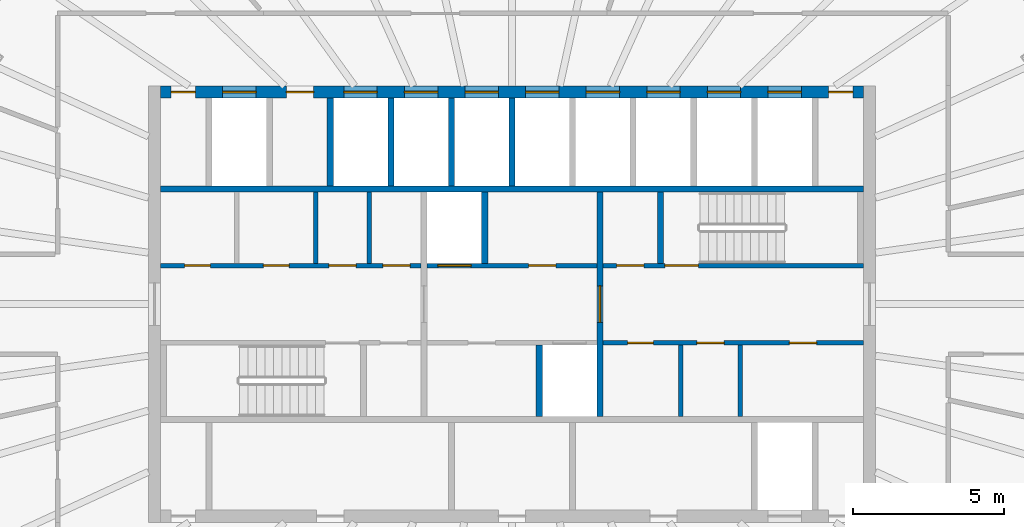
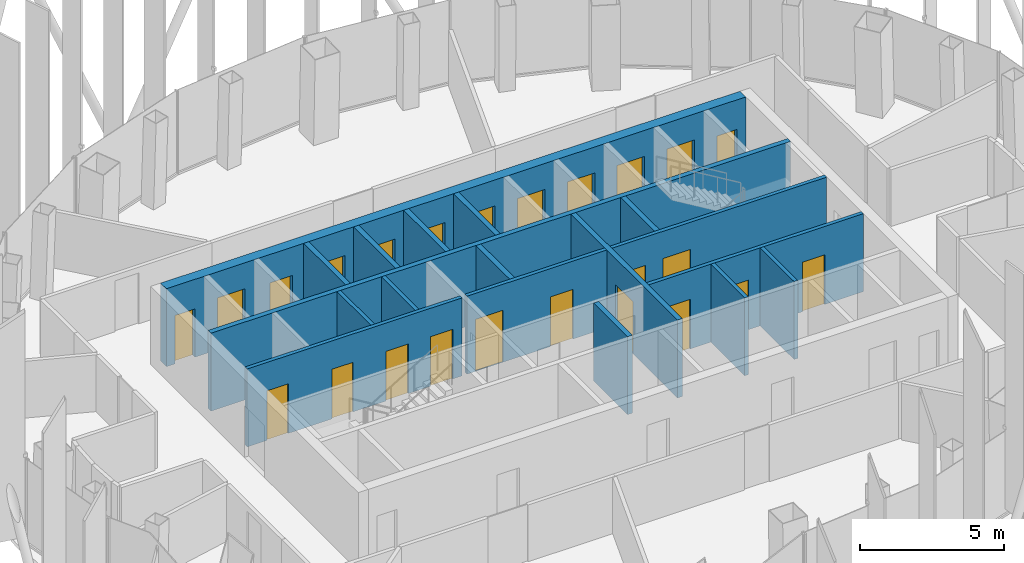
# One storey, part 10 of 19: 24 doors, 18 walls, 24 openings.
"""IFC4 building model written with IfcOpenShell, lengths in metres."""

from ifc_helpers import new_model, si_unit, direction, frame, frame_2d, origin, place, context, subcontext, project, spatial, rectangle, extrude, material, layer, layer_set, type_object, element, fill, save


model = new_model("IFC4")

# Units and contexts
model_context = context("Model", 3, precision=1e-05, world=origin(), true_north=direction((0.0, 1.0)))
body_context = subcontext(model_context, "Body", "Model", "MODEL_VIEW")
ifc_project = project(units=[si_unit("LENGTHUNIT", "METRE"), si_unit("AREAUNIT", "SQUARE_METRE"), si_unit("VOLUMEUNIT", "CUBIC_METRE"), si_unit("PLANEANGLEUNIT", "RADIAN"), si_unit("MASSUNIT", "GRAM", prefix="KILO")], contexts=[model_context])

# Site, building, storey
site_placement = place(None, origin())
site = spatial("IfcSite", under=ifc_project, at=site_placement, CompositionType="ELEMENT")
building_placement = place(site_placement, origin())
building = spatial("IfcBuilding", under=site, at=building_placement, Name="Siaravel Broadcast Tower", CompositionType="ELEMENT")
storey_placement = place(building_placement, frame((0.0, 0.0, 239.300048828125)))
storey = spatial("IfcBuildingStorey", under=building, at=storey_placement, Name="L58", CompositionType="ELEMENT", Elevation=239.300048828125)

# Walls
ifc_material_1 = material(Name="Concrete blockwork", Category="masonry")
ifc_layer_1 = layer(ifc_material_1, 0.14990234375)
ifc_layer_set_1 = layer_set([ifc_layer_1], Name="Concrete blockwork")
wall_type_1 = type_object("IfcWallType", Name="Core partition 150", PredefinedType="PARTITIONING", material=ifc_layer_set_1)
for number, where, z_axis, x_axis, name in (
    (1, (-6.485107421875, 1.35009765625, 0.0), (0.0, 0.0, 1.0), (0.0, 1.0, 0.0), "L58 core partition PNW1"),
    (2, (-4.705078125, 1.35009765625, 0.0), (0.0, 0.0, 1.0), (0.0, 1.0, 0.0), "L58 core partition PNW2"),
    (3, (5.56494140625, -3.699951171875, 0.0), (0.0, 0.0, 1.0), (0.0, 1.0, 0.0), "L58 core partition PSE0"),
    (4, (7.541015625, -3.699951171875, 0.0), (0.0, 0.0, 1.0), (0.0, 1.0, 0.0), "L58 core partition PSE1"),
):
    element("IfcWall", number, at=place(storey_placement, frame(where, z_axis=z_axis, x_axis=x_axis)), inside=storey, type_object=wall_type_1, Name=name, PredefinedType="PARTITIONING", context=body_context, shape_type="SweptSolid", body=[
        extrude(rectangle(XDim=2.349853515625, YDim=0.14990234375, at=frame_2d((1.1748046875, 0.0))), origin(), (0.0, 0.0, 1.0), 3.300048828125),
    ])

# Wall, openings, doors
ifc_material_2 = material(Name="Concrete C60/75", Category="concrete")
ifc_layer_2 = layer(ifc_material_2, 0.39990234375)
ifc_layer_set_2 = layer_set([ifc_layer_2], Name="Concrete C60/75")
wall_type_2 = type_object("IfcWallType", Name="Core wall 400", PredefinedType="SHEAR", material=ifc_layer_set_2)
wall_1_placement = place(storey_placement, frame((-11.60009765625, 7.0, 0.0), z_axis=(0.0, 0.0, 1.0), x_axis=(1.0, 0.0, 0.0)))
wall_1 = element("IfcWall", 5, at=wall_1_placement, inside=storey, type_object=wall_type_2, Name="L58 core wall ON", PredefinedType="SHEAR", context=body_context, shape_type="SweptSolid", body=[
    extrude(rectangle(XDim=23.2001953125, YDim=0.39990234375, at=frame_2d((11.60009765625, 0.0))), origin(), (0.0, 0.0, 1.0), 3.300048828125),
])
opening_1_placement = place(wall_1_placement, frame((2.050048828125, 0.0, 0.0)))
opening_1 = element("IfcOpeningElement", 6, at=opening_1_placement, cuts=wall_1, Name="Opening LD-SV2-L58", PredefinedType="OPENING", context=body_context, shape_type="SweptSolid", body=[
    extrude(rectangle(XDim=1.10009765625, YDim=2.199951171875, at=frame_2d((0.550048828125, 1.10009765625))), frame((0.0, 0.2099609375, 0.0), z_axis=(0.0, -1.0, 0.0), x_axis=(1.0, 0.0, 0.0)), (0.0, 0.0, 1.0), 0.419921875),
])
opening_2_placement = place(wall_1_placement, frame((6.050048828125, 0.0, 0.0)))
opening_2 = element("IfcOpeningElement", 7, at=opening_2_placement, cuts=wall_1, Name="Opening LD-HP1-L58", PredefinedType="OPENING", context=body_context, shape_type="SweptSolid", body=[
    extrude(rectangle(XDim=1.10009765625, YDim=2.199951171875, at=frame_2d((0.550048828125, 1.10009765625))), frame((0.0, 0.2099609375, 0.0), z_axis=(0.0, -1.0, 0.0), x_axis=(1.0, 0.0, 0.0)), (0.0, 0.0, 1.0), 0.419921875),
])
opening_3_placement = place(wall_1_placement, frame((8.050048828125, 0.0, 0.0)))
opening_3 = element("IfcOpeningElement", 8, at=opening_3_placement, cuts=wall_1, Name="Opening LD-HP2-L58", PredefinedType="OPENING", context=body_context, shape_type="SweptSolid", body=[
    extrude(rectangle(XDim=1.10009765625, YDim=2.199951171875, at=frame_2d((0.550048828125, 1.10009765625))), frame((0.0, 0.2099609375, 0.0), z_axis=(0.0, -1.0, 0.0), x_axis=(1.0, 0.0, 0.0)), (0.0, 0.0, 1.0), 0.419921875),
])
opening_4_placement = place(wall_1_placement, frame((10.050048828125, 0.0, 0.0)))
opening_4 = element("IfcOpeningElement", 9, at=opening_4_placement, cuts=wall_1, Name="Opening LD-HP3-L58", PredefinedType="OPENING", context=body_context, shape_type="SweptSolid", body=[
    extrude(rectangle(XDim=1.10009765625, YDim=2.199951171875, at=frame_2d((0.550048828125, 1.10009765625))), frame((0.0, 0.2099609375, 0.0), z_axis=(0.0, -1.0, 0.0), x_axis=(1.0, 0.0, 0.0)), (0.0, 0.0, 1.0), 0.419921875),
])
opening_5_placement = place(wall_1_placement, frame((12.050048828125, 0.0, 0.0)))
opening_5 = element("IfcOpeningElement", 10, at=opening_5_placement, cuts=wall_1, Name="Opening LD-HP4-L58", PredefinedType="OPENING", context=body_context, shape_type="SweptSolid", body=[
    extrude(rectangle(XDim=1.10009765625, YDim=2.199951171875, at=frame_2d((0.550048828125, 1.10009765625))), frame((0.0, 0.2099609375, 0.0), z_axis=(0.0, -1.0, 0.0), x_axis=(1.0, 0.0, 0.0)), (0.0, 0.0, 1.0), 0.419921875),
])
opening_6_placement = place(wall_1_placement, frame((14.050048828125, 0.0, 0.0)))
opening_6 = element("IfcOpeningElement", 11, at=opening_6_placement, cuts=wall_1, Name="Opening LD-HP5-L58", PredefinedType="OPENING", context=body_context, shape_type="SweptSolid", body=[
    extrude(rectangle(XDim=1.10009765625, YDim=2.199951171875, at=frame_2d((0.550048828125, 1.10009765625))), frame((0.0, 0.2099609375, 0.0), z_axis=(0.0, -1.0, 0.0), x_axis=(1.0, 0.0, 0.0)), (0.0, 0.0, 1.0), 0.419921875),
])
opening_7_placement = place(wall_1_placement, frame((16.050048828125, 0.0, 0.0)))
opening_7 = element("IfcOpeningElement", 12, at=opening_7_placement, cuts=wall_1, Name="Opening LD-HP6-L58", PredefinedType="OPENING", context=body_context, shape_type="SweptSolid", body=[
    extrude(rectangle(XDim=1.10009765625, YDim=2.199951171875, at=frame_2d((0.550048828125, 1.10009765625))), frame((0.0, 0.2099609375, 0.0), z_axis=(0.0, -1.0, 0.0), x_axis=(1.0, 0.0, 0.0)), (0.0, 0.0, 1.0), 0.419921875),
])
opening_8_placement = place(wall_1_placement, frame((18.050048828125, 0.0, 0.0)))
opening_8 = element("IfcOpeningElement", 13, at=opening_8_placement, cuts=wall_1, Name="Opening LD-HP7-L58", PredefinedType="OPENING", context=body_context, shape_type="SweptSolid", body=[
    extrude(rectangle(XDim=1.10009765625, YDim=2.199951171875, at=frame_2d((0.550048828125, 1.10009765625))), frame((0.0, 0.2099609375, 0.0), z_axis=(0.0, -1.0, 0.0), x_axis=(1.0, 0.0, 0.0)), (0.0, 0.0, 1.0), 0.419921875),
])
opening_9_placement = place(wall_1_placement, frame((20.050048828125, 0.0, 0.0)))
opening_9 = element("IfcOpeningElement", 14, at=opening_9_placement, cuts=wall_1, Name="Opening LD-HP8-L58", PredefinedType="OPENING", context=body_context, shape_type="SweptSolid", body=[
    extrude(rectangle(XDim=1.10009765625, YDim=2.199951171875, at=frame_2d((0.550048828125, 1.10009765625))), frame((0.0, 0.2099609375, 0.0), z_axis=(0.0, -1.0, 0.0), x_axis=(1.0, 0.0, 0.0)), (0.0, 0.0, 1.0), 0.419921875),
])
opening_10_placement = place(wall_1_placement, frame((4.14990234375, 0.0, 0.0)))
opening_10 = element("IfcOpeningElement", 15, at=opening_10_placement, cuts=wall_1, Name="Opening L58-DFN1", PredefinedType="OPENING", context=body_context, shape_type="SweptSolid", body=[
    extrude(rectangle(XDim=0.89990234375, YDim=2.10009765625, at=frame_2d((0.449951171875, 1.050048828125))), frame((0.0, 0.2099609375, 0.0), z_axis=(0.0, -1.0, 0.0), x_axis=(1.0, 0.0, 0.0)), (0.0, 0.0, 1.0), 0.419921875),
])
opening_11_placement = place(wall_1_placement, frame((0.35009765625, 0.0, 0.0)))
opening_11 = element("IfcOpeningElement", 16, at=opening_11_placement, cuts=wall_1, Name="Opening L58-DRNW", PredefinedType="OPENING", context=body_context, shape_type="SweptSolid", body=[
    extrude(rectangle(XDim=0.800048828125, YDim=2.050048828125, at=frame_2d((0.39990234375, 1.02490234375))), frame((0.0, 0.2099609375, 0.0), z_axis=(0.0, -1.0, 0.0), x_axis=(1.0, 0.0, 0.0)), (0.0, 0.0, 1.0), 0.419921875),
])
opening_12_placement = place(wall_1_placement, frame((22.050048828125, 0.0, 0.0)))
opening_12 = element("IfcOpeningElement", 17, at=opening_12_placement, cuts=wall_1, Name="Opening L58-DRNE", PredefinedType="OPENING", context=body_context, shape_type="SweptSolid", body=[
    extrude(rectangle(XDim=0.800048828125, YDim=2.050048828125, at=frame_2d((0.39990234375, 1.02490234375))), frame((0.0, 0.2099609375, 0.0), z_axis=(0.0, -1.0, 0.0), x_axis=(1.0, 0.0, 0.0)), (0.0, 0.0, 1.0), 0.419921875),
])
ifc_material_3 = material(Name="Timber veneer", Category="wood")
door_type_1 = type_object("IfcDoorType", Name="Core room door 900", OperationType="SINGLE_SWING_LEFT", PredefinedType="DOOR", material=ifc_material_3)
door_1_placement = place(opening_10_placement, origin())
door_1 = element("IfcDoor", 18, at=door_1_placement, inside=storey, type_object=door_type_1, Name="L58 door DFN1", OperationType="SINGLE_SWING_LEFT", OverallHeight=2.10009765625, OverallWidth=0.89990234375, PredefinedType="DOOR", context=body_context, shape_type="SweptSolid", body=[
    extrude(rectangle(XDim=0.89990234375, YDim=2.10009765625, at=frame_2d((0.449951171875, 1.050048828125))), frame((0.0, 0.02490234375, 0.0), z_axis=(0.0, -1.0, 0.0), x_axis=(1.0, 0.0, 0.0)), (0.0, 0.0, 1.0), 0.050048828125),
])
fill(opening_10, door_1)
ifc_material_4 = material(Name="Stainless steel 316L", Category="steel")
door_type_2 = type_object("IfcDoorType", Name="Lift landing door 1100", OperationType="DOUBLE_DOOR_SLIDING", PredefinedType="DOOR", material=ifc_material_4)
door_2_placement = place(opening_2_placement, origin())
door_2 = element("IfcDoor", 19, at=door_2_placement, inside=storey, type_object=door_type_2, Name="Landing door HP1 L58", OperationType="DOUBLE_DOOR_SLIDING", OverallHeight=2.199951171875, OverallWidth=1.10009765625, PredefinedType="DOOR", context=body_context, shape_type="SweptSolid", body=[
    extrude(rectangle(XDim=1.10009765625, YDim=2.199951171875, at=frame_2d((0.550048828125, 1.10009765625))), frame((0.0, 0.02490234375, 0.0), z_axis=(0.0, -1.0, 0.0), x_axis=(1.0, 0.0, 0.0)), (0.0, 0.0, 1.0), 0.050048828125),
])
fill(opening_2, door_2)
door_3_placement = place(opening_3_placement, origin())
door_3 = element("IfcDoor", 20, at=door_3_placement, inside=storey, type_object=door_type_2, Name="Landing door HP2 L58", OperationType="DOUBLE_DOOR_SLIDING", OverallHeight=2.199951171875, OverallWidth=1.10009765625, PredefinedType="DOOR", context=body_context, shape_type="SweptSolid", body=[
    extrude(rectangle(XDim=1.10009765625, YDim=2.199951171875, at=frame_2d((0.550048828125, 1.10009765625))), frame((0.0, 0.02490234375, 0.0), z_axis=(0.0, -1.0, 0.0), x_axis=(1.0, 0.0, 0.0)), (0.0, 0.0, 1.0), 0.050048828125),
])
fill(opening_3, door_3)
door_4_placement = place(opening_4_placement, origin())
door_4 = element("IfcDoor", 21, at=door_4_placement, inside=storey, type_object=door_type_2, Name="Landing door HP3 L58", OperationType="DOUBLE_DOOR_SLIDING", OverallHeight=2.199951171875, OverallWidth=1.10009765625, PredefinedType="DOOR", context=body_context, shape_type="SweptSolid", body=[
    extrude(rectangle(XDim=1.10009765625, YDim=2.199951171875, at=frame_2d((0.550048828125, 1.10009765625))), frame((0.0, 0.02490234375, 0.0), z_axis=(0.0, -1.0, 0.0), x_axis=(1.0, 0.0, 0.0)), (0.0, 0.0, 1.0), 0.050048828125),
])
fill(opening_4, door_4)
door_5_placement = place(opening_5_placement, origin())
door_5 = element("IfcDoor", 22, at=door_5_placement, inside=storey, type_object=door_type_2, Name="Landing door HP4 L58", OperationType="DOUBLE_DOOR_SLIDING", OverallHeight=2.199951171875, OverallWidth=1.10009765625, PredefinedType="DOOR", context=body_context, shape_type="SweptSolid", body=[
    extrude(rectangle(XDim=1.10009765625, YDim=2.199951171875, at=frame_2d((0.550048828125, 1.10009765625))), frame((0.0, 0.02490234375, 0.0), z_axis=(0.0, -1.0, 0.0), x_axis=(1.0, 0.0, 0.0)), (0.0, 0.0, 1.0), 0.050048828125),
])
fill(opening_5, door_5)
door_6_placement = place(opening_6_placement, origin())
door_6 = element("IfcDoor", 23, at=door_6_placement, inside=storey, type_object=door_type_2, Name="Landing door HP5 L58", OperationType="DOUBLE_DOOR_SLIDING", OverallHeight=2.199951171875, OverallWidth=1.10009765625, PredefinedType="DOOR", context=body_context, shape_type="SweptSolid", body=[
    extrude(rectangle(XDim=1.10009765625, YDim=2.199951171875, at=frame_2d((0.550048828125, 1.10009765625))), frame((0.0, 0.02490234375, 0.0), z_axis=(0.0, -1.0, 0.0), x_axis=(1.0, 0.0, 0.0)), (0.0, 0.0, 1.0), 0.050048828125),
])
fill(opening_6, door_6)
door_7_placement = place(opening_7_placement, origin())
door_7 = element("IfcDoor", 24, at=door_7_placement, inside=storey, type_object=door_type_2, Name="Landing door HP6 L58", OperationType="DOUBLE_DOOR_SLIDING", OverallHeight=2.199951171875, OverallWidth=1.10009765625, PredefinedType="DOOR", context=body_context, shape_type="SweptSolid", body=[
    extrude(rectangle(XDim=1.10009765625, YDim=2.199951171875, at=frame_2d((0.550048828125, 1.10009765625))), frame((0.0, 0.02490234375, 0.0), z_axis=(0.0, -1.0, 0.0), x_axis=(1.0, 0.0, 0.0)), (0.0, 0.0, 1.0), 0.050048828125),
])
fill(opening_7, door_7)
door_8_placement = place(opening_8_placement, origin())
door_8 = element("IfcDoor", 25, at=door_8_placement, inside=storey, type_object=door_type_2, Name="Landing door HP7 L58", OperationType="DOUBLE_DOOR_SLIDING", OverallHeight=2.199951171875, OverallWidth=1.10009765625, PredefinedType="DOOR", context=body_context, shape_type="SweptSolid", body=[
    extrude(rectangle(XDim=1.10009765625, YDim=2.199951171875, at=frame_2d((0.550048828125, 1.10009765625))), frame((0.0, 0.02490234375, 0.0), z_axis=(0.0, -1.0, 0.0), x_axis=(1.0, 0.0, 0.0)), (0.0, 0.0, 1.0), 0.050048828125),
])
fill(opening_8, door_8)
door_9_placement = place(opening_9_placement, origin())
door_9 = element("IfcDoor", 26, at=door_9_placement, inside=storey, type_object=door_type_2, Name="Landing door HP8 L58", OperationType="DOUBLE_DOOR_SLIDING", OverallHeight=2.199951171875, OverallWidth=1.10009765625, PredefinedType="DOOR", context=body_context, shape_type="SweptSolid", body=[
    extrude(rectangle(XDim=1.10009765625, YDim=2.199951171875, at=frame_2d((0.550048828125, 1.10009765625))), frame((0.0, 0.02490234375, 0.0), z_axis=(0.0, -1.0, 0.0), x_axis=(1.0, 0.0, 0.0)), (0.0, 0.0, 1.0), 0.050048828125),
])
fill(opening_9, door_9)
ifc_material_5 = material(Name="Steel", Category="steel")
door_type_3 = type_object("IfcDoorType", Name="Riser door 800", OperationType="SINGLE_SWING_LEFT", PredefinedType="DOOR", material=ifc_material_5)
door_10_placement = place(opening_11_placement, origin())
door_10 = element("IfcDoor", 27, at=door_10_placement, inside=storey, type_object=door_type_3, Name="L58 door DRNW", OperationType="SINGLE_SWING_LEFT", OverallHeight=2.050048828125, OverallWidth=0.800048828125, PredefinedType="DOOR", context=body_context, shape_type="SweptSolid", body=[
    extrude(rectangle(XDim=0.800048828125, YDim=2.050048828125, at=frame_2d((0.39990234375, 1.02490234375))), frame((0.0, 0.02490234375, 0.0), z_axis=(0.0, -1.0, 0.0), x_axis=(1.0, 0.0, 0.0)), (0.0, 0.0, 1.0), 0.050048828125),
])
fill(opening_11, door_10)
door_11_placement = place(opening_12_placement, origin())
door_11 = element("IfcDoor", 28, at=door_11_placement, inside=storey, type_object=door_type_3, Name="L58 door DRNE", OperationType="SINGLE_SWING_LEFT", OverallHeight=2.050048828125, OverallWidth=0.800048828125, PredefinedType="DOOR", context=body_context, shape_type="SweptSolid", body=[
    extrude(rectangle(XDim=0.800048828125, YDim=2.050048828125, at=frame_2d((0.39990234375, 1.02490234375))), frame((0.0, 0.02490234375, 0.0), z_axis=(0.0, -1.0, 0.0), x_axis=(1.0, 0.0, 0.0)), (0.0, 0.0, 1.0), 0.050048828125),
])
fill(opening_12, door_11)
door_type_4 = type_object("IfcDoorType", Name="Service lift landing door 1100", OperationType="DOUBLE_DOOR_SLIDING", PredefinedType="DOOR", material=ifc_material_4)
door_12_placement = place(opening_1_placement, origin())
door_12 = element("IfcDoor", 29, at=door_12_placement, inside=storey, type_object=door_type_4, Name="Landing door SV2 L58", OperationType="DOUBLE_DOOR_SLIDING", OverallHeight=2.199951171875, OverallWidth=1.10009765625, PredefinedType="DOOR", context=body_context, shape_type="SweptSolid", body=[
    extrude(rectangle(XDim=1.10009765625, YDim=2.199951171875, at=frame_2d((0.550048828125, 1.10009765625))), frame((0.0, 0.02490234375, 0.0), z_axis=(0.0, -1.0, 0.0), x_axis=(1.0, 0.0, 0.0)), (0.0, 0.0, 1.0), 0.050048828125),
])
fill(opening_1, door_12)

ifc_material_6 = material(Name="Gypsum board partition", Category="gypsum")
ifc_layer_3 = layer(ifc_material_6, 0.14990234375)
ifc_layer_set_3 = layer_set([ifc_layer_3], Name="Gypsum board partition")
wall_type_3 = type_object("IfcWallType", Name="Corridor wall 150", PredefinedType="PARTITIONING", material=ifc_layer_set_3)
wall_2_placement = place(storey_placement, frame((3.0, -1.27490234375, 0.0), z_axis=(0.0, 0.0, 1.0), x_axis=(1.0, 0.0, 0.0)))
wall_2 = element("IfcWall", 30, at=wall_2_placement, inside=storey, type_object=wall_type_3, Name="L58 core partition CSE", PredefinedType="PARTITIONING", context=body_context, shape_type="SweptSolid", body=[
    extrude(rectangle(XDim=8.60009765625, YDim=0.14990234375, at=frame_2d((4.300048828125, 0.0))), origin(), (0.0, 0.0, 1.0), 3.300048828125),
])
opening_13_placement = place(wall_2_placement, frame((0.820068359375, 0.0, 0.0)))
opening_13 = element("IfcOpeningElement", 31, at=opening_13_placement, cuts=wall_2, Name="Opening L58-DSE0", PredefinedType="OPENING", context=body_context, shape_type="SweptSolid", body=[
    extrude(rectangle(XDim=0.85009765625, YDim=2.10009765625, at=frame_2d((0.425048828125, 1.050048828125))), frame((0.0, 0.0849609375, 0.0), z_axis=(0.0, -1.0, 0.0), x_axis=(1.0, 0.0, 0.0)), (0.0, 0.0, 1.0), 0.169921875),
])
opening_14_placement = place(wall_2_placement, frame((3.10302734375, 0.0, 0.0)))
opening_14 = element("IfcOpeningElement", 32, at=opening_14_placement, cuts=wall_2, Name="Opening L58-DSE1", PredefinedType="OPENING", context=body_context, shape_type="SweptSolid", body=[
    extrude(rectangle(XDim=0.89990234375, YDim=2.10009765625, at=frame_2d((0.449951171875, 1.050048828125))), frame((0.0, 0.0849609375, 0.0), z_axis=(0.0, -1.0, 0.0), x_axis=(1.0, 0.0, 0.0)), (0.0, 0.0, 1.0), 0.169921875),
])
opening_15_placement = place(wall_2_placement, frame((6.157958984375, 0.0, 0.0)))
opening_15 = element("IfcOpeningElement", 33, at=opening_15_placement, cuts=wall_2, Name="Opening L58-DSE2", PredefinedType="OPENING", context=body_context, shape_type="SweptSolid", body=[
    extrude(rectangle(XDim=0.89990234375, YDim=2.10009765625, at=frame_2d((0.449951171875, 1.050048828125))), frame((0.0, 0.0849609375, 0.0), z_axis=(0.0, -1.0, 0.0), x_axis=(1.0, 0.0, 0.0)), (0.0, 0.0, 1.0), 0.169921875),
])
door_13_placement = place(opening_14_placement, origin())
door_13 = element("IfcDoor", 34, at=door_13_placement, inside=storey, type_object=door_type_1, Name="L58 door DSE1", OperationType="SINGLE_SWING_LEFT", OverallHeight=2.10009765625, OverallWidth=0.89990234375, PredefinedType="DOOR", context=body_context, shape_type="SweptSolid", body=[
    extrude(rectangle(XDim=0.89990234375, YDim=2.10009765625, at=frame_2d((0.449951171875, 1.050048828125))), frame((0.0, 0.02490234375, 0.0), z_axis=(0.0, -1.0, 0.0), x_axis=(1.0, 0.0, 0.0)), (0.0, 0.0, 1.0), 0.050048828125),
])
fill(opening_14, door_13)
door_14_placement = place(opening_15_placement, origin())
door_14 = element("IfcDoor", 35, at=door_14_placement, inside=storey, type_object=door_type_1, Name="L58 door DSE2", OperationType="SINGLE_SWING_LEFT", OverallHeight=2.10009765625, OverallWidth=0.89990234375, PredefinedType="DOOR", context=body_context, shape_type="SweptSolid", body=[
    extrude(rectangle(XDim=0.89990234375, YDim=2.10009765625, at=frame_2d((0.449951171875, 1.050048828125))), frame((0.0, 0.02490234375, 0.0), z_axis=(0.0, -1.0, 0.0), x_axis=(1.0, 0.0, 0.0)), (0.0, 0.0, 1.0), 0.050048828125),
])
fill(opening_15, door_14)
door_type_5 = type_object("IfcDoorType", Name="Core toilet door 850", OperationType="SINGLE_SWING_LEFT", PredefinedType="DOOR", material=ifc_material_3)
door_15_placement = place(opening_13_placement, origin())
door_15 = element("IfcDoor", 36, at=door_15_placement, inside=storey, type_object=door_type_5, Name="L58 door DSE0", OperationType="SINGLE_SWING_LEFT", OverallHeight=2.10009765625, OverallWidth=0.85009765625, PredefinedType="DOOR", context=body_context, shape_type="SweptSolid", body=[
    extrude(rectangle(XDim=0.85009765625, YDim=2.10009765625, at=frame_2d((0.425048828125, 1.050048828125))), frame((0.0, 0.02490234375, 0.0), z_axis=(0.0, -1.0, 0.0), x_axis=(1.0, 0.0, 0.0)), (0.0, 0.0, 1.0), 0.050048828125),
])
fill(opening_13, door_15)

wall_3_placement = place(storey_placement, frame((-11.60009765625, 1.27490234375, 0.0), z_axis=(0.0, 0.0, 1.0), x_axis=(1.0, 0.0, 0.0)))
wall_3 = element("IfcWall", 37, at=wall_3_placement, inside=storey, type_object=wall_type_3, Name="L58 core partition CNW", PredefinedType="PARTITIONING", context=body_context, shape_type="SweptSolid", body=[
    extrude(rectangle(XDim=8.60009765625, YDim=0.14990234375, at=frame_2d((4.300048828125, 0.0))), origin(), (0.0, 0.0, 1.0), 3.300048828125),
])
opening_16_placement = place(wall_3_placement, frame((0.797607421875, 0.0, 0.0)))
opening_16 = element("IfcOpeningElement", 38, at=opening_16_placement, cuts=wall_3, Name="Opening L58-DNW0", PredefinedType="OPENING", context=body_context, shape_type="SweptSolid", body=[
    extrude(rectangle(XDim=0.85009765625, YDim=2.10009765625, at=frame_2d((0.425048828125, 1.050048828125))), frame((0.0, 0.0849609375, 0.0), z_axis=(0.0, -1.0, 0.0), x_axis=(1.0, 0.0, 0.0)), (0.0, 0.0, 1.0), 0.169921875),
])
opening_17_placement = place(wall_3_placement, frame((3.392578125, 0.0, 0.0)))
opening_17 = element("IfcOpeningElement", 39, at=opening_17_placement, cuts=wall_3, Name="Opening L58-DNW1", PredefinedType="OPENING", context=body_context, shape_type="SweptSolid", body=[
    extrude(rectangle(XDim=0.85009765625, YDim=2.10009765625, at=frame_2d((0.425048828125, 1.050048828125))), frame((0.0, 0.0849609375, 0.0), z_axis=(0.0, -1.0, 0.0), x_axis=(1.0, 0.0, 0.0)), (0.0, 0.0, 1.0), 0.169921875),
])
opening_18_placement = place(wall_3_placement, frame((5.554931640625, 0.0, 0.0)))
opening_18 = element("IfcOpeningElement", 40, at=opening_18_placement, cuts=wall_3, Name="Opening L58-DNW2", PredefinedType="OPENING", context=body_context, shape_type="SweptSolid", body=[
    extrude(rectangle(XDim=0.89990234375, YDim=2.10009765625, at=frame_2d((0.449951171875, 1.050048828125))), frame((0.0, 0.0849609375, 0.0), z_axis=(0.0, -1.0, 0.0), x_axis=(1.0, 0.0, 0.0)), (0.0, 0.0, 1.0), 0.169921875),
])
opening_19_placement = place(wall_3_placement, frame((7.3349609375, 0.0, 0.0)))
opening_19 = element("IfcOpeningElement", 41, at=opening_19_placement, cuts=wall_3, Name="Opening L58-DNW3", PredefinedType="OPENING", context=body_context, shape_type="SweptSolid", body=[
    extrude(rectangle(XDim=0.89990234375, YDim=2.10009765625, at=frame_2d((0.449951171875, 1.050048828125))), frame((0.0, 0.0849609375, 0.0), z_axis=(0.0, -1.0, 0.0), x_axis=(1.0, 0.0, 0.0)), (0.0, 0.0, 1.0), 0.169921875),
])
door_16_placement = place(opening_18_placement, origin())
door_16 = element("IfcDoor", 42, at=door_16_placement, inside=storey, type_object=door_type_1, Name="L58 door DNW2", OperationType="SINGLE_SWING_LEFT", OverallHeight=2.10009765625, OverallWidth=0.89990234375, PredefinedType="DOOR", context=body_context, shape_type="SweptSolid", body=[
    extrude(rectangle(XDim=0.89990234375, YDim=2.10009765625, at=frame_2d((0.449951171875, 1.050048828125))), frame((0.0, 0.02490234375, 0.0), z_axis=(0.0, -1.0, 0.0), x_axis=(1.0, 0.0, 0.0)), (0.0, 0.0, 1.0), 0.050048828125),
])
fill(opening_18, door_16)
door_17_placement = place(opening_19_placement, origin())
door_17 = element("IfcDoor", 43, at=door_17_placement, inside=storey, type_object=door_type_1, Name="L58 door DNW3", OperationType="SINGLE_SWING_LEFT", OverallHeight=2.10009765625, OverallWidth=0.89990234375, PredefinedType="DOOR", context=body_context, shape_type="SweptSolid", body=[
    extrude(rectangle(XDim=0.89990234375, YDim=2.10009765625, at=frame_2d((0.449951171875, 1.050048828125))), frame((0.0, 0.02490234375, 0.0), z_axis=(0.0, -1.0, 0.0), x_axis=(1.0, 0.0, 0.0)), (0.0, 0.0, 1.0), 0.050048828125),
])
fill(opening_19, door_17)
door_18_placement = place(opening_16_placement, origin())
door_18 = element("IfcDoor", 44, at=door_18_placement, inside=storey, type_object=door_type_5, Name="L58 door DNW0", OperationType="SINGLE_SWING_LEFT", OverallHeight=2.10009765625, OverallWidth=0.85009765625, PredefinedType="DOOR", context=body_context, shape_type="SweptSolid", body=[
    extrude(rectangle(XDim=0.85009765625, YDim=2.10009765625, at=frame_2d((0.425048828125, 1.050048828125))), frame((0.0, 0.02490234375, 0.0), z_axis=(0.0, -1.0, 0.0), x_axis=(1.0, 0.0, 0.0)), (0.0, 0.0, 1.0), 0.050048828125),
])
fill(opening_16, door_18)
door_19_placement = place(opening_17_placement, origin())
door_19 = element("IfcDoor", 45, at=door_19_placement, inside=storey, type_object=door_type_5, Name="L58 door DNW1", OperationType="SINGLE_SWING_LEFT", OverallHeight=2.10009765625, OverallWidth=0.85009765625, PredefinedType="DOOR", context=body_context, shape_type="SweptSolid", body=[
    extrude(rectangle(XDim=0.85009765625, YDim=2.10009765625, at=frame_2d((0.425048828125, 1.050048828125))), frame((0.0, 0.02490234375, 0.0), z_axis=(0.0, -1.0, 0.0), x_axis=(1.0, 0.0, 0.0)), (0.0, 0.0, 1.0), 0.050048828125),
])
fill(opening_17, door_19)

ifc_layer_4 = layer(ifc_material_2, 0.14990234375)
ifc_layer_set_4 = layer_set([ifc_layer_4], Name="Concrete C60/75")
wall_type_4 = type_object("IfcWallType", Name="Shaft wall 150", PredefinedType="SHEAR", material=ifc_layer_set_4)
wall_4_placement = place(storey_placement, frame((-2.800048828125, 1.27490234375, 0.0), z_axis=(0.0, 0.0, 1.0), x_axis=(1.0, 0.0, 0.0)))
wall_4 = element("IfcWall", 46, at=wall_4_placement, inside=storey, type_object=wall_type_4, Name="L58 core wall CNM", PredefinedType="SHEAR", context=body_context, shape_type="SweptSolid", body=[
    extrude(rectangle(XDim=5.60009765625, YDim=0.14990234375, at=frame_2d((2.800048828125, 0.0))), origin(), (0.0, 0.0, 1.0), 3.300048828125),
])
opening_20_placement = place(wall_4_placement, frame((0.35009765625, 0.0, 0.0)))
opening_20 = element("IfcOpeningElement", 47, at=opening_20_placement, cuts=wall_4, Name="Opening LD-FL1-L58", PredefinedType="OPENING", context=body_context, shape_type="SweptSolid", body=[
    extrude(rectangle(XDim=1.10009765625, YDim=2.199951171875, at=frame_2d((0.550048828125, 1.10009765625))), frame((0.0, 0.0849609375, 0.0), z_axis=(0.0, -1.0, 0.0), x_axis=(1.0, 0.0, 0.0)), (0.0, 0.0, 1.0), 0.169921875),
])
opening_21_placement = place(wall_4_placement, frame((3.35009765625, 0.0, 0.0)))
opening_21 = element("IfcOpeningElement", 48, at=opening_21_placement, cuts=wall_4, Name="Opening L58-DNM0", PredefinedType="OPENING", context=body_context, shape_type="SweptSolid", body=[
    extrude(rectangle(XDim=0.89990234375, YDim=2.10009765625, at=frame_2d((0.449951171875, 1.050048828125))), frame((0.0, 0.0849609375, 0.0), z_axis=(0.0, -1.0, 0.0), x_axis=(1.0, 0.0, 0.0)), (0.0, 0.0, 1.0), 0.169921875),
])
door_20_placement = place(opening_21_placement, origin())
door_20 = element("IfcDoor", 49, at=door_20_placement, inside=storey, type_object=door_type_1, Name="L58 door DNM0", OperationType="SINGLE_SWING_LEFT", OverallHeight=2.10009765625, OverallWidth=0.89990234375, PredefinedType="DOOR", context=body_context, shape_type="SweptSolid", body=[
    extrude(rectangle(XDim=0.89990234375, YDim=2.10009765625, at=frame_2d((0.449951171875, 1.050048828125))), frame((0.0, 0.02490234375, 0.0), z_axis=(0.0, -1.0, 0.0), x_axis=(1.0, 0.0, 0.0)), (0.0, 0.0, 1.0), 0.050048828125),
])
fill(opening_21, door_20)
door_type_6 = type_object("IfcDoorType", Name="Firefighting lift landing door 1100", OperationType="DOUBLE_DOOR_SLIDING", PredefinedType="DOOR", material=ifc_material_4)
door_21_placement = place(opening_20_placement, origin())
door_21 = element("IfcDoor", 50, at=door_21_placement, inside=storey, type_object=door_type_6, Name="Landing door FL1 L58", OperationType="DOUBLE_DOOR_SLIDING", OverallHeight=2.199951171875, OverallWidth=1.10009765625, PredefinedType="DOOR", context=body_context, shape_type="SweptSolid", body=[
    extrude(rectangle(XDim=1.10009765625, YDim=2.199951171875, at=frame_2d((0.550048828125, 1.10009765625))), frame((0.0, 0.02490234375, 0.0), z_axis=(0.0, -1.0, 0.0), x_axis=(1.0, 0.0, 0.0)), (0.0, 0.0, 1.0), 0.050048828125),
])
fill(opening_20, door_21)

wall_5_placement = place(storey_placement, frame((3.0, 1.27490234375, 0.0), z_axis=(0.0, 0.0, 1.0), x_axis=(1.0, 0.0, 0.0)))
wall_5 = element("IfcWall", 51, at=wall_5_placement, inside=storey, type_object=wall_type_4, Name="L58 core wall CNE", PredefinedType="SHEAR", context=body_context, shape_type="SweptSolid", body=[
    extrude(rectangle(XDim=8.60009765625, YDim=0.14990234375, at=frame_2d((4.300048828125, 0.0))), origin(), (0.0, 0.0, 1.0), 3.300048828125),
])
opening_22_placement = place(wall_5_placement, frame((2.050048828125, 0.0, 0.0)))
opening_22 = element("IfcOpeningElement", 52, at=opening_22_placement, cuts=wall_5, Name="Opening L58-DS-2", PredefinedType="OPENING", context=body_context, shape_type="SweptSolid", body=[
    extrude(rectangle(XDim=1.10009765625, YDim=2.14990234375, at=frame_2d((0.550048828125, 1.074951171875))), frame((0.0, 0.0849609375, 0.0), z_axis=(0.0, -1.0, 0.0), x_axis=(1.0, 0.0, 0.0)), (0.0, 0.0, 1.0), 0.169921875),
])
opening_23_placement = place(wall_5_placement, frame((0.449951171875, 0.0, 0.0)))
opening_23 = element("IfcOpeningElement", 53, at=opening_23_placement, cuts=wall_5, Name="Opening L58-DNE0", PredefinedType="OPENING", context=body_context, shape_type="SweptSolid", body=[
    extrude(rectangle(XDim=0.89990234375, YDim=2.10009765625, at=frame_2d((0.449951171875, 1.050048828125))), frame((0.0, 0.0849609375, 0.0), z_axis=(0.0, -1.0, 0.0), x_axis=(1.0, 0.0, 0.0)), (0.0, 0.0, 1.0), 0.169921875),
])
door_22_placement = place(opening_23_placement, origin())
door_22 = element("IfcDoor", 54, at=door_22_placement, inside=storey, type_object=door_type_1, Name="L58 door DNE0", OperationType="SINGLE_SWING_LEFT", OverallHeight=2.10009765625, OverallWidth=0.89990234375, PredefinedType="DOOR", context=body_context, shape_type="SweptSolid", body=[
    extrude(rectangle(XDim=0.89990234375, YDim=2.10009765625, at=frame_2d((0.449951171875, 1.050048828125))), frame((0.0, 0.02490234375, 0.0), z_axis=(0.0, -1.0, 0.0), x_axis=(1.0, 0.0, 0.0)), (0.0, 0.0, 1.0), 0.050048828125),
])
fill(opening_23, door_22)
door_type_7 = type_object("IfcDoorType", Name="Stair door 1100", OperationType="SINGLE_SWING_LEFT", PredefinedType="DOOR", material=ifc_material_5)
door_23_placement = place(opening_22_placement, origin())
door_23 = element("IfcDoor", 55, at=door_23_placement, inside=storey, type_object=door_type_7, Name="L58 door DS-2", OperationType="SINGLE_SWING_LEFT", OverallHeight=2.14990234375, OverallWidth=1.10009765625, PredefinedType="DOOR", context=body_context, shape_type="SweptSolid", body=[
    extrude(rectangle(XDim=1.10009765625, YDim=2.14990234375, at=frame_2d((0.550048828125, 1.074951171875))), frame((0.0, 0.02490234375, 0.0), z_axis=(0.0, -1.0, 0.0), x_axis=(1.0, 0.0, 0.0)), (0.0, 0.0, 1.0), 0.050048828125),
])
fill(opening_22, door_23)

# Walls
ifc_layer_5 = layer(ifc_material_2, 0.199951171875)
ifc_layer_set_5 = layer_set([ifc_layer_5], Name="Concrete C60/75")
wall_type_5 = type_object("IfcWallType", Name="Shaft wall 200", PredefinedType="SHEAR", material=ifc_layer_set_5)
wall_6_placement = place(storey_placement, frame((-11.60009765625, 3.800048828125, 0.0), z_axis=(0.0, 0.0, 1.0), x_axis=(1.0, 0.0, 0.0)))
element("IfcWall", 56, at=wall_6_placement, inside=storey, type_object=wall_type_5, Name="L58 core wall BN", PredefinedType="SHEAR", context=body_context, shape_type="SweptSolid", body=[
    extrude(rectangle(XDim=23.2001953125, YDim=0.199951171875, at=frame_2d((11.60009765625, 0.0))), origin(), (0.0, 0.0, 1.0), 3.300048828125),
])
for number, where, z_axis, x_axis, name in (
    (57, (-6.0, 3.89990234375, 0.0), (0.0, 0.0, 1.0), (0.0, 1.0, 0.0), "L58 core wall SWN2"),
    (58, (-4.0, 3.89990234375, 0.0), (0.0, 0.0, 1.0), (0.0, 1.0, 0.0), "L58 core wall SWN3"),
    (59, (-2.0, 3.89990234375, 0.0), (0.0, 0.0, 1.0), (0.0, 1.0, 0.0), "L58 core wall SWN4"),
    (60, (0.0, 3.89990234375, 0.0), (0.0, 0.0, 1.0), (0.0, 1.0, 0.0), "L58 core wall SWN5"),
):
    element("IfcWall", number, at=place(storey_placement, frame(where, z_axis=z_axis, x_axis=x_axis)), inside=storey, type_object=wall_type_5, Name=name, PredefinedType="SHEAR", context=body_context, shape_type="SweptSolid", body=[
        extrude(rectangle(XDim=2.900146484375, YDim=0.199951171875, at=frame_2d((1.4501953125, 0.0))), origin(), (0.0, 0.0, 1.0), 3.300048828125),
    ])

# Wall, opening, door
wall_7_placement = place(storey_placement, frame((2.89990234375, -3.699951171875, 0.0), z_axis=(0.0, 0.0, 1.0), x_axis=(0.0, 1.0, 0.0)))
wall_7 = element("IfcWall", 61, at=wall_7_placement, inside=storey, type_object=wall_type_5, Name="L58 core wall LE", PredefinedType="SHEAR", context=body_context, shape_type="SweptSolid", body=[
    extrude(rectangle(XDim=7.39990234375, YDim=0.199951171875, at=frame_2d((3.699951171875, 0.0))), origin(), (0.0, 0.0, 1.0), 3.300048828125),
])
opening_24_placement = place(wall_7_placement, frame((3.10009765625, 0.0, 0.0)))
opening_24 = element("IfcOpeningElement", 62, at=opening_24_placement, cuts=wall_7, Name="Opening L58-DL-E", PredefinedType="OPENING", context=body_context, shape_type="SweptSolid", body=[
    extrude(rectangle(XDim=1.199951171875, YDim=2.199951171875, at=frame_2d((0.60009765625, 1.10009765625))), frame((0.0, 0.10986328125, 0.0), z_axis=(0.0, -1.0, 0.0), x_axis=(1.0, 0.0, 0.0)), (0.0, 0.0, 1.0), 0.219970703125),
])
door_type_8 = type_object("IfcDoorType", Name="Firefighting lobby door 1200", OperationType="SINGLE_SWING_LEFT", PredefinedType="DOOR", material=ifc_material_5)
door_24_placement = place(opening_24_placement, origin())
door_24 = element("IfcDoor", 63, at=door_24_placement, inside=storey, type_object=door_type_8, Name="L58 door DL-E", OperationType="SINGLE_SWING_LEFT", OverallHeight=2.199951171875, OverallWidth=1.199951171875, PredefinedType="DOOR", context=body_context, shape_type="SweptSolid", body=[
    extrude(rectangle(XDim=1.199951171875, YDim=2.199951171875, at=frame_2d((0.60009765625, 1.10009765625))), frame((0.0, 0.02490234375, 0.0), z_axis=(0.0, -1.0, 0.0), x_axis=(1.0, 0.0, 0.0)), (0.0, 0.0, 1.0), 0.050048828125),
])
fill(opening_24, door_24)

# Walls
for number, where, z_axis, x_axis, name in (
    (64, (-0.89990234375, 1.35009765625, 0.0), (0.0, 0.0, 1.0), (0.0, 1.0, 0.0), "L58 core wall FF1E"),
    (65, (0.89990234375, -3.699951171875, 0.0), (0.0, 0.0, 1.0), (0.0, 1.0, 0.0), "L58 core wall FF2W"),
    (66, (4.89990234375, 1.35009765625, 0.0), (0.0, 0.0, 1.0), (0.0, 1.0, 0.0), "L58 core wall ST2W"),
):
    element("IfcWall", number, at=place(storey_placement, frame(where, z_axis=z_axis, x_axis=x_axis)), inside=storey, type_object=wall_type_5, Name=name, PredefinedType="SHEAR", context=body_context, shape_type="SweptSolid", body=[
        extrude(rectangle(XDim=2.349853515625, YDim=0.199951171875, at=frame_2d((1.1748046875, 0.0))), origin(), (0.0, 0.0, 1.0), 3.300048828125),
    ])

save(model, "model.ifc")
